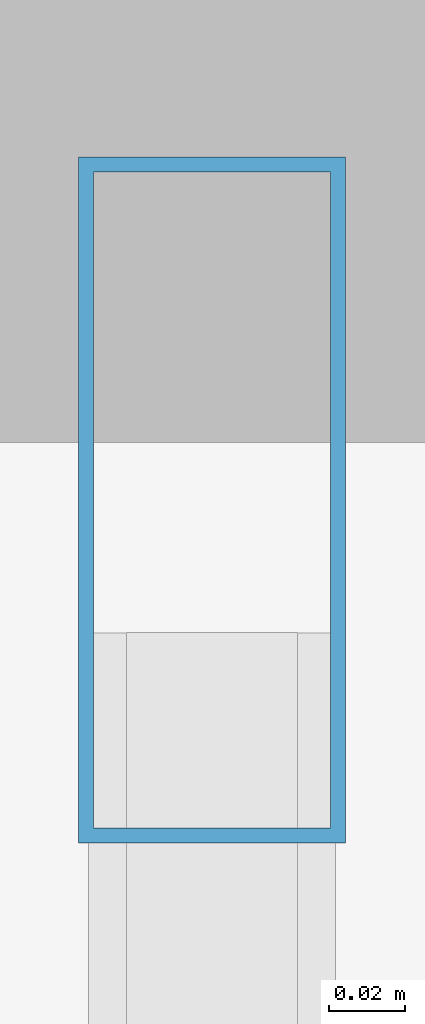
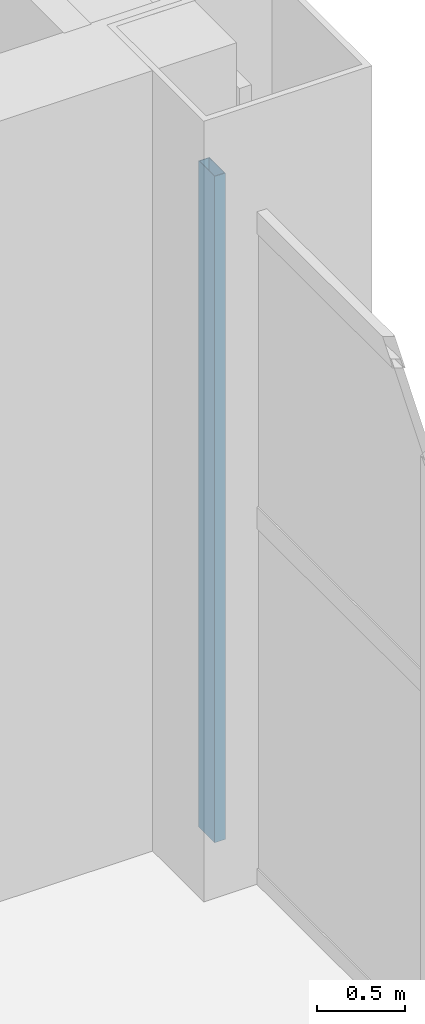
# One storey, part 18 of 24: 1 member, 1 element without a shape of its own.
"""IFC4 building model written with IfcOpenShell, lengths in metres."""

from ifc_helpers import new_model, si_unit, direction, frame, origin, origin_2d, place, context, subcontext, project, spatial, hollow_rectangle, extrude, material, layer, layer_set, material_profile, profile_set, type_object, element, aggregate, save


model = new_model("IFC4")

# Units and contexts
model_context = context("Model", 3, precision=1e-05, world=origin(), true_north=direction((0.0, 1.0)))
body_context = subcontext(model_context, "Body", "Model", "MODEL_VIEW")
ifc_project = project(units=[si_unit("LENGTHUNIT", "METRE"), si_unit("AREAUNIT", "SQUARE_METRE"), si_unit("VOLUMEUNIT", "CUBIC_METRE"), si_unit("PLANEANGLEUNIT", "RADIAN"), si_unit("MASSUNIT", "GRAM", prefix="KILO")], contexts=[model_context])

# Site, building, storey
site_placement = place(None, origin())
site = spatial("IfcSite", under=ifc_project, at=site_placement, CompositionType="ELEMENT")
building_placement = place(site_placement, origin())
building = spatial("IfcBuilding", under=site, at=building_placement, Name="Qianrong Seaharbour Tower", CompositionType="ELEMENT")
storey_placement = place(building_placement, frame((0.0, 0.0, 195.0)))
storey = spatial("IfcBuildingStorey", under=building, at=storey_placement, Name="L47", CompositionType="ELEMENT", Elevation=195.0)

# Curtain wall, member
ifc_material_1 = material(Name="Anodised aluminium 6063-T6 and laminated low-e glass", Category="aluminium")
ifc_layer = layer(ifc_material_1, 0.18505859375)
ifc_layer_set = layer_set([ifc_layer], Name="Anodised aluminium 6063-T6 and laminated low-e glass")
curtain_wall_type = type_object("IfcCurtainWallType", Name="CW-SYS-4", PredefinedType="NOTDEFINED", material=ifc_layer_set)
curtain_wall_placement = place(storey_placement, origin())
curtain_wall = element("IfcCurtainWall", 1, at=curtain_wall_placement, inside=storey, type_object=curtain_wall_type, Name="L47 Refuge Acoustic Louvre Curtain Wall EAST_WING", PredefinedType="NOTDEFINED")
ifc_material_2 = material(Name="Extruded aluminium 6063-T6", Category="aluminium")
ifc_material_profile = material_profile(ifc_material_2, hollow_rectangle(XDim=0.070068359375, YDim=0.179931640625, WallThickness=0.00390625, at=origin_2d()), Name="ALU-MUL-180x70x4")
ifc_profile_set = profile_set([ifc_material_profile], Name="Extruded aluminium 6063-T6")
member_type = type_object("IfcMemberType", Name="CW-MUL-180", PredefinedType="MULLION", material=ifc_profile_set)
member_placement = place(storey_placement, frame((63.830078125, 36.014892578125, 0.0), z_axis=(0.0, 0.0, 1.0), x_axis=(1.0, 0.0, 0.0)))
member = element("IfcMember", 2, at=member_placement, type_object=member_type, Name="CW-4 mullion 1", PredefinedType="MULLION", context=body_context, shape_type="SweptSolid", body=[
    extrude(hollow_rectangle(XDim=0.070068359375, YDim=0.179931640625, WallThickness=0.00390625, at=origin_2d()), origin(), (0.0, 0.0, 1.0), 4.610107421875),
])
aggregate(curtain_wall, [member])

save(model, "model.ifc")
